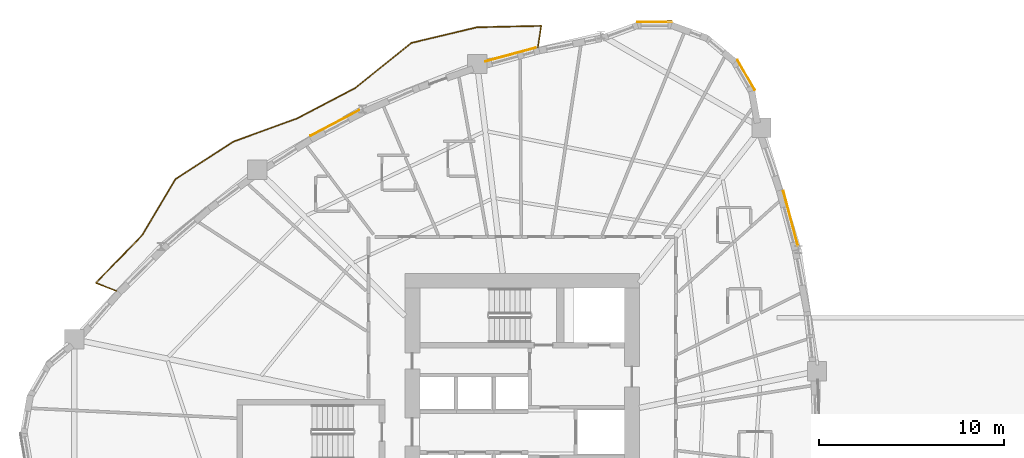
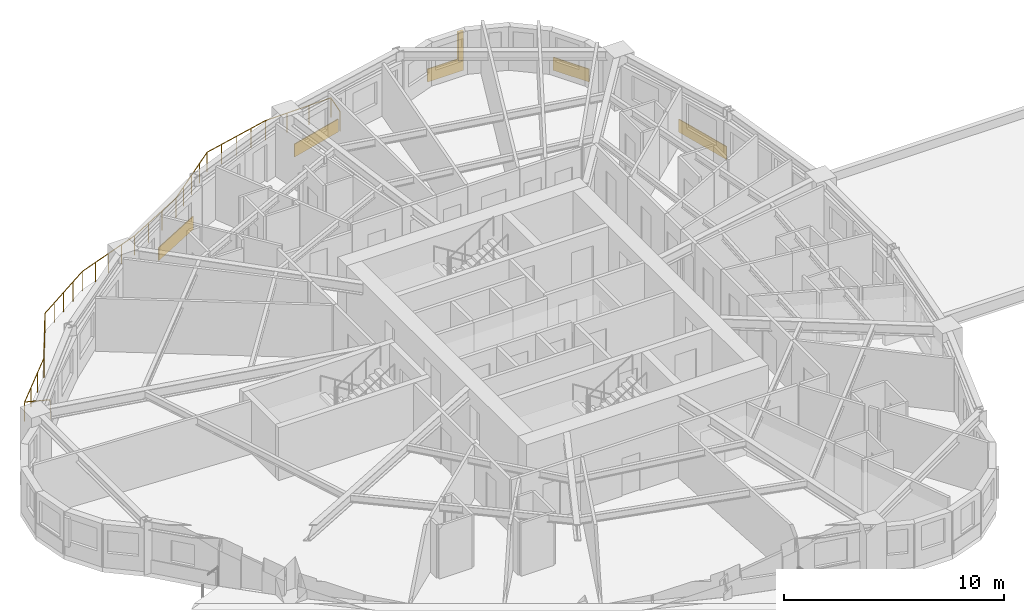
# One storey, part 14 of 15: 5 coverings, 1 railing, 1 shading device.
"""IFC4 building model written with IfcOpenShell, lengths in metres."""

from ifc_helpers import new_model, si_unit, direction, frame, origin, origin_2d, place, context, subcontext, project, spatial, rectangle, circle, extrude, source, transform, mapped, material, layer, layer_set, type_object, element, save


model = new_model("IFC4")

# Units and contexts
model_context = context("Model", 3, precision=1e-05, world=origin(), true_north=direction((0.0, 1.0)))
body_context = subcontext(model_context, "Body", "Model", "MODEL_VIEW")
ifc_project = project(units=[si_unit("LENGTHUNIT", "METRE"), si_unit("AREAUNIT", "SQUARE_METRE"), si_unit("VOLUMEUNIT", "CUBIC_METRE"), si_unit("PLANEANGLEUNIT", "RADIAN"), si_unit("MASSUNIT", "GRAM", prefix="KILO")], contexts=[model_context])

# Site, building, storey
site_placement = place(None, origin())
site = spatial("IfcSite", under=ifc_project, at=site_placement, CompositionType="ELEMENT")
building_placement = place(site_placement, origin())
building = spatial("IfcBuilding", under=site, at=building_placement, Name="Qafzar Sky-Pleat Residences", CompositionType="ELEMENT")
storey_placement = place(building_placement, frame((0.0, 0.0, 36.60009765625)))
storey = spatial("IfcBuildingStorey", under=building, at=storey_placement, Name="L10", CompositionType="ELEMENT", Elevation=36.60009765625)

# Shading device
ifc_material_1 = material(Name="Honed Riyadh limestone solar fin", Category="masonry")
ifc_layer_1 = layer(ifc_material_1, 0.139892578125)
ifc_layer_set_1 = layer_set([ifc_layer_1], Name="Honed Riyadh limestone solar fin")
shading_device_type = type_object("IfcShadingDeviceType", Name="SHD-FIN-STONE", PredefinedType="SHUTTER", material=ifc_layer_set_1)
shared_shape_1 = source(origin(), body_context, "Body", "SweptSolid", [
    extrude(rectangle(XDim=0.139892578125, YDim=0.280029296875, at=origin_2d()), origin(), (0.0, 0.0, 1.0), 1.60009765625),
])
shading_device_placement = place(storey_placement, frame((38.322509765625, 48.26171875, 0.599853515625), z_axis=(0.0, 0.0, 1.0), x_axis=(0.0, 1.0, 0.0)))
element("IfcShadingDevice", 1, at=shading_device_placement, inside=storey, type_object=shading_device_type, Name="L10 Limestone Solar Fin 37", PredefinedType="SHUTTER", context=body_context, shape_type="MappedRepresentation", body=[
    mapped(shared_shape_1, transform((0.0, 0.0, 0.0), x_axis=(1.0, 0.0, 0.0), y_axis=(0.0, 1.0, 0.0), z_axis=(0.0, 0.0, 1.0), scale=1.0)),
])

# Coverings
ifc_material_2 = material(Name="Honed Riyadh Tuwaiq limestone cladding", Category="masonry")
ifc_layer_2 = layer(ifc_material_2, 0.044921875)
ifc_layer_set_2 = layer_set([ifc_layer_2], Name="Honed Riyadh Tuwaiq limestone cladding")
covering_type = type_object("IfcCoveringType", Name="COV-CLAD-STONE", PredefinedType="CLADDING", material=ifc_layer_set_2)
shared_shape_2 = source(origin(), body_context, "Body", "SweptSolid", [
    extrude(rectangle(XDim=1.88134765625, YDim=0.044921875, at=origin_2d()), origin(), (0.0, 0.0, 1.0), 0.719970703125),
])
for number, where, z_axis, x_axis, name in (
    (2, (42.483154296875, 45.351806640625, 0.02001953125), (0.0, 0.0, 1.0), (-0.499972303345, 0.866041393865, 0.0), "L10 Riyadh Limestone Spandrel Cladding 34"),
    (3, (37.517578125, 48.21875, 0.02001953125), (0.0, 0.0, 1.0), (-1.0, 0.0, 0.0), "L10 Riyadh Limestone Spandrel Cladding 37"),
):
    element("IfcCovering", number, at=place(storey_placement, frame(where, z_axis=z_axis, x_axis=x_axis)), inside=storey, type_object=covering_type, Name=name, PredefinedType="CLADDING", context=body_context, shape_type="MappedRepresentation", body=[
        mapped(shared_shape_2, transform((0.0, 0.0, 0.0), x_axis=(1.0, 0.0, 0.0), y_axis=(0.0, 1.0, 0.0), z_axis=(0.0, 0.0, 1.0), scale=1.0)),
    ])

# Railing
ifc_material_3 = material(Name="Laminated glass and bronze steel balustrade", Category="steel")
railing_type = type_object("IfcRailingType", Name="RAIL-BAL-1100", PredefinedType="BALUSTRADE", material=ifc_material_3)
shared_shape_3 = source(origin(), body_context, "Body", "SweptSolid", [
    extrude(circle(Radius=0.02392578125, at=origin_2d()), frame((0.0, 0.0, 1.076171875), z_axis=(0.151917016877, 0.988393251688, 0.0), x_axis=(-0.988393251688, 0.151917016877, 0.0)), (0.0, 0.0, 1.0), 1.177978515625),
    extrude(circle(Radius=0.02392578125, at=origin_2d()), frame((0.178955078125, 1.164306640625, 1.076171875), z_axis=(-0.99976715239, -0.021578716394, 0.0), x_axis=(0.021578716394, -0.99976715239, 0.0)), (0.0, 0.0, 1.0), 3.484619140625),
    extrude(circle(Radius=0.02392578125, at=origin_2d()), frame((-3.304931640625, 1.089111328125, 1.076171875), z_axis=(-0.972696245734, -0.232081911263, 0.0), x_axis=(0.232081911263, -0.972696245734, 0.0)), (0.0, 0.0, 1.0), 3.648193359375),
    extrude(circle(Radius=0.02392578125, at=origin_2d()), frame((-6.853515625, 0.242431640625, 1.076171875), z_axis=(-0.779956316978, -0.625833958495, 0.0), x_axis=(0.625833958495, -0.779956316978, 0.0)), (0.0, 0.0, 1.0), 3.9189453125),
    extrude(circle(Radius=0.02392578125, at=origin_2d()), frame((-9.91015625, -2.210205078125, 1.076171875), z_axis=(-0.88581111763, -0.464045971734, 0.0), x_axis=(0.464045971734, -0.88581111763, 0.0)), (0.0, 0.0, 1.0), 3.5107421875),
    extrude(circle(Radius=0.02392578125, at=origin_2d()), frame((-13.02001953125, -3.83935546875, 1.076171875), z_axis=(-0.939699130778, -0.342002256739, 0.0), x_axis=(0.342002256739, -0.939699130778, 0.0)), (0.0, 0.0, 1.0), 3.70556640625),
    extrude(circle(Radius=0.02392578125, at=origin_2d()), frame((-16.502197265625, -5.106689453125, 1.076171875), z_axis=(-0.839207102397, -0.543811952137, 0.0), x_axis=(0.543811952137, -0.839207102397, 0.0)), (0.0, 0.0, 1.0), 3.736572265625),
    extrude(circle(Radius=0.02392578125, at=origin_2d()), frame((-19.637939453125, -7.138671875, 1.076171875), z_axis=(-0.511359412882, -0.859366947734, 0.0), x_axis=(0.859366947734, -0.511359412882, 0.0)), (0.0, 0.0, 1.0), 3.552490234375),
    extrude(circle(Radius=0.02392578125, at=origin_2d()), frame((-21.45458984375, -10.191650390625, 1.076171875), z_axis=(-0.696103334982, -0.71794160419, 0.0), x_axis=(0.71794160419, -0.696103334982, 0.0)), (0.0, 0.0, 1.0), 3.588623046875),
    extrude(circle(Radius=0.02392578125, at=origin_2d()), frame((-23.95263671875, -12.76806640625, 1.076171875), z_axis=(0.931895714322, -0.362726312292, 0.0), x_axis=(0.362726312292, 0.931895714322, 0.0)), (0.0, 0.0, 1.0), 1.177978515625),
    extrude(circle(Radius=0.02099609375, at=origin_2d()), origin(), (0.0, 0.0, 1.0), 1.052001953125),
    extrude(circle(Radius=0.02099609375, at=origin_2d()), frame((0.178955078125, 1.164306640625, 0.0)), (0.0, 0.0, 1.0), 1.052001953125),
    extrude(circle(Radius=0.02099609375, at=origin_2d()), frame((-0.982421875, 1.13916015625, 0.0)), (0.0, 0.0, 1.0), 1.052001953125),
    extrude(circle(Radius=0.02099609375, at=origin_2d()), frame((-2.1435546875, 1.1142578125, 0.0)), (0.0, 0.0, 1.0), 1.052001953125),
    extrude(circle(Radius=0.02099609375, at=origin_2d()), frame((-3.304931640625, 1.089111328125, 0.0)), (0.0, 0.0, 1.0), 1.052001953125),
    extrude(circle(Radius=0.02099609375, at=origin_2d()), frame((-4.192138671875, 0.87744140625, 0.0)), (0.0, 0.0, 1.0), 1.052001953125),
    extrude(circle(Radius=0.02099609375, at=origin_2d()), frame((-5.0791015625, 0.665771484375, 0.0)), (0.0, 0.0, 1.0), 1.052001953125),
    extrude(circle(Radius=0.02099609375, at=origin_2d()), frame((-5.96630859375, 0.4541015625, 0.0)), (0.0, 0.0, 1.0), 1.052001953125),
    extrude(circle(Radius=0.02099609375, at=origin_2d()), frame((-6.853515625, 0.242431640625, 0.0)), (0.0, 0.0, 1.0), 1.052001953125),
    extrude(circle(Radius=0.02099609375, at=origin_2d()), frame((-7.61767578125, -0.37060546875, 0.0)), (0.0, 0.0, 1.0), 1.052001953125),
    extrude(circle(Radius=0.02099609375, at=origin_2d()), frame((-8.3818359375, -0.98388671875, 0.0)), (0.0, 0.0, 1.0), 1.052001953125),
    extrude(circle(Radius=0.02099609375, at=origin_2d()), frame((-9.14599609375, -1.59716796875, 0.0)), (0.0, 0.0, 1.0), 1.052001953125),
    extrude(circle(Radius=0.02099609375, at=origin_2d()), frame((-9.91015625, -2.210205078125, 0.0)), (0.0, 0.0, 1.0), 1.052001953125),
    extrude(circle(Radius=0.02099609375, at=origin_2d()), frame((-10.94677734375, -2.753173828125, 0.0)), (0.0, 0.0, 1.0), 1.052001953125),
    extrude(circle(Radius=0.02099609375, at=origin_2d()), frame((-11.9833984375, -3.29638671875, 0.0)), (0.0, 0.0, 1.0), 1.052001953125),
    extrude(circle(Radius=0.02099609375, at=origin_2d()), frame((-13.02001953125, -3.83935546875, 0.0)), (0.0, 0.0, 1.0), 1.052001953125),
    extrude(circle(Radius=0.02099609375, at=origin_2d()), frame((-13.890625, -4.15625, 0.0)), (0.0, 0.0, 1.0), 1.052001953125),
    extrude(circle(Radius=0.02099609375, at=origin_2d()), frame((-14.76123046875, -4.47314453125, 0.0)), (0.0, 0.0, 1.0), 1.052001953125),
    extrude(circle(Radius=0.02099609375, at=origin_2d()), frame((-15.631591796875, -4.789794921875, 0.0)), (0.0, 0.0, 1.0), 1.052001953125),
    extrude(circle(Radius=0.02099609375, at=origin_2d()), frame((-16.502197265625, -5.106689453125, 0.0)), (0.0, 0.0, 1.0), 1.052001953125),
    extrude(circle(Radius=0.02099609375, at=origin_2d()), frame((-17.2861328125, -5.61474609375, 0.0)), (0.0, 0.0, 1.0), 1.052001953125),
    extrude(circle(Radius=0.02099609375, at=origin_2d()), frame((-18.070068359375, -6.12255859375, 0.0)), (0.0, 0.0, 1.0), 1.052001953125),
    extrude(circle(Radius=0.02099609375, at=origin_2d()), frame((-18.85400390625, -6.630615234375, 0.0)), (0.0, 0.0, 1.0), 1.052001953125),
    extrude(circle(Radius=0.02099609375, at=origin_2d()), frame((-19.637939453125, -7.138671875, 0.0)), (0.0, 0.0, 1.0), 1.052001953125),
    extrude(circle(Radius=0.02099609375, at=origin_2d()), frame((-20.243408203125, -8.15625, 0.0)), (0.0, 0.0, 1.0), 1.052001953125),
    extrude(circle(Radius=0.02099609375, at=origin_2d()), frame((-20.84912109375, -9.174072265625, 0.0)), (0.0, 0.0, 1.0), 1.052001953125),
    extrude(circle(Radius=0.02099609375, at=origin_2d()), frame((-21.45458984375, -10.191650390625, 0.0)), (0.0, 0.0, 1.0), 1.052001953125),
    extrude(circle(Radius=0.02099609375, at=origin_2d()), frame((-22.287353515625, -11.050537109375, 0.0)), (0.0, 0.0, 1.0), 1.052001953125),
    extrude(circle(Radius=0.02099609375, at=origin_2d()), frame((-23.119873046875, -11.9091796875, 0.0)), (0.0, 0.0, 1.0), 1.052001953125),
    extrude(circle(Radius=0.02099609375, at=origin_2d()), frame((-23.95263671875, -12.76806640625, 0.0)), (0.0, 0.0, 1.0), 1.052001953125),
    extrude(circle(Radius=0.02099609375, at=origin_2d()), frame((-22.85498046875, -13.1953125, 0.0)), (0.0, 0.0, 1.0), 1.052001953125),
])
railing_placement = place(storey_placement, frame((31.2001953125, 46.84765625, 0.0)))
element("IfcRailing", 4, at=railing_placement, inside=storey, type_object=railing_type, Name="L10 Pleated Balcony 1 Balustrade", PredefinedType="BALUSTRADE", context=body_context, shape_type="MappedRepresentation", body=[
    mapped(shared_shape_3, transform((0.0, 0.0, 0.0), x_axis=(1.0, 0.0, 0.0), y_axis=(0.0, 1.0, 0.0), z_axis=(0.0, 0.0, 1.0), scale=1.0)),
])

# Coverings
shared_shape_4 = source(origin(), body_context, "Body", "SweptSolid", [
    extrude(rectangle(XDim=3.086669921875, YDim=0.044921875, at=origin_2d()), origin(), (0.0, 0.0, 1.0), 0.719970703125),
])
covering_1_placement = place(storey_placement, frame((44.8974609375, 37.572998046875, 0.02001953125), z_axis=(0.0, 0.0, 1.0), x_axis=(-0.257060075079, 0.966395425176, 0.0)))
element("IfcCovering", 5, at=covering_1_placement, inside=storey, type_object=covering_type, Name="L10 Riyadh Limestone Spandrel Cladding 31", PredefinedType="CLADDING", context=body_context, shape_type="MappedRepresentation", body=[
    mapped(shared_shape_4, transform((0.0, 0.0, 0.0), x_axis=(1.0, 0.0, 0.0), y_axis=(0.0, 1.0, 0.0), z_axis=(0.0, 0.0, 1.0), scale=1.0)),
])
shared_shape_5 = source(origin(), body_context, "Body", "SweptSolid", [
    extrude(rectangle(XDim=2.834716796875, YDim=0.044921875, at=origin_2d()), origin(), (0.0, 0.0, 1.0), 0.719970703125),
])
covering_2_placement = place(storey_placement, frame((29.708984375, 46.45654296875, 0.02001953125), z_axis=(0.0, 0.0, 1.0), x_axis=(-0.965456482184, -0.260564350993, 0.0)))
element("IfcCovering", 6, at=covering_2_placement, inside=storey, type_object=covering_type, Name="L10 Riyadh Limestone Spandrel Cladding 40", PredefinedType="CLADDING", context=body_context, shape_type="MappedRepresentation", body=[
    mapped(shared_shape_5, transform((0.0, 0.0, 0.0), x_axis=(1.0, 0.0, 0.0), y_axis=(0.0, 1.0, 0.0), z_axis=(0.0, 0.0, 1.0), scale=1.0)),
])
shared_shape_6 = source(origin(), body_context, "Body", "SweptSolid", [
    extrude(rectangle(XDim=2.985595703125, YDim=0.044921875, at=origin_2d()), origin(), (0.0, 0.0, 1.0), 0.719970703125),
])
covering_3_placement = place(storey_placement, frame((20.1982421875, 42.753662109375, 0.02001953125), z_axis=(0.0, 0.0, 1.0), x_axis=(-0.884384061538, -0.466759929404, 0.0)))
element("IfcCovering", 7, at=covering_3_placement, inside=storey, type_object=covering_type, Name="L10 Riyadh Limestone Spandrel Cladding 43", PredefinedType="CLADDING", context=body_context, shape_type="MappedRepresentation", body=[
    mapped(shared_shape_6, transform((0.0, 0.0, 0.0), x_axis=(1.0, 0.0, 0.0), y_axis=(0.0, 1.0, 0.0), z_axis=(0.0, 0.0, 1.0), scale=1.0)),
])

save(model, "model.ifc")
